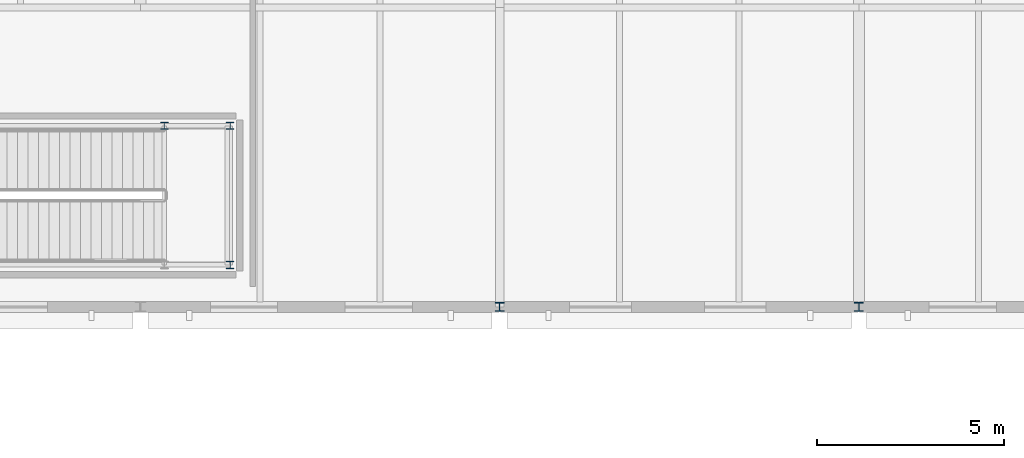
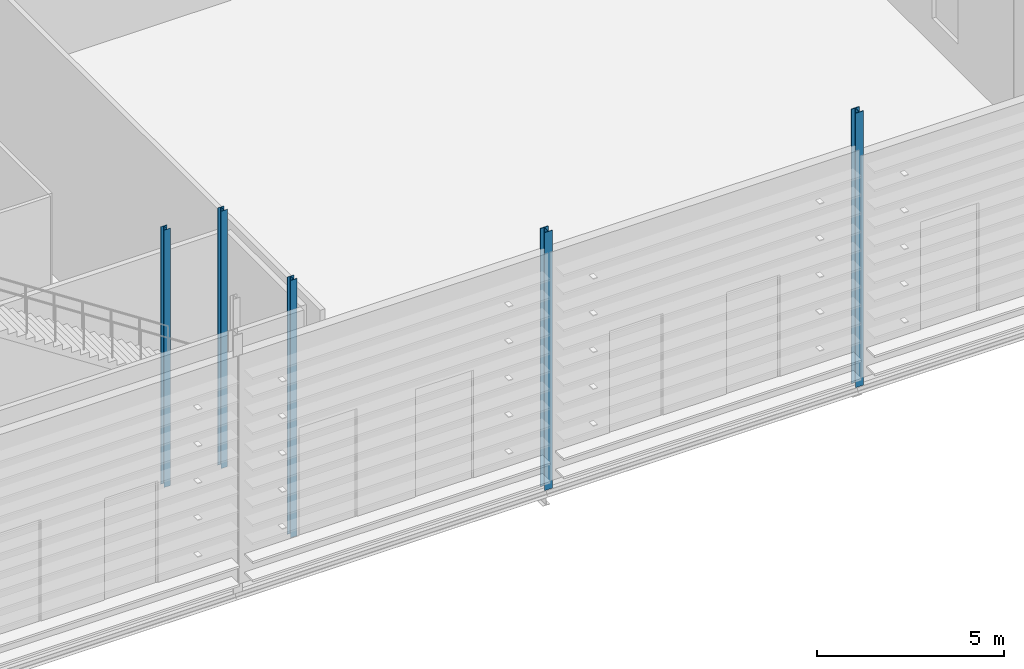
# One storey, part 2 of 73: 5 columns.
"""IFC4 building model written with IfcOpenShell, lengths in metres."""

from ifc_helpers import new_model, si_unit, direction, frame, origin, origin_2d, place, context, subcontext, project, spatial, i_section, extrude, material, material_profile, profile_set, type_object, element, save


model = new_model("IFC4")

# Units and contexts
model_context = context("Model", 3, precision=1e-05, world=origin(), true_north=direction((0.0, 1.0)))
body_context = subcontext(model_context, "Body", "Model", "MODEL_VIEW")
ifc_project = project(units=[si_unit("LENGTHUNIT", "METRE"), si_unit("AREAUNIT", "SQUARE_METRE"), si_unit("VOLUMEUNIT", "CUBIC_METRE"), si_unit("PLANEANGLEUNIT", "RADIAN"), si_unit("MASSUNIT", "GRAM", prefix="KILO")], contexts=[model_context])

# Site, building, storey
site_placement = place(None, origin())
site = spatial("IfcSite", under=ifc_project, at=site_placement, CompositionType="ELEMENT")
building_placement = place(site_placement, origin())
building = spatial("IfcBuilding", under=site, at=building_placement, Name="Alderhovde Museum", CompositionType="ELEMENT")
storey_placement = place(building_placement, frame((0.0, 0.0, 17.39990234375)))
storey = spatial("IfcBuildingStorey", under=building, at=storey_placement, Name="L04", CompositionType="ELEMENT", Elevation=17.39990234375)

# Columns
ifc_material_1 = material(Name="Steel S355J2", Category="steel")
ifc_material_profile_1 = material_profile(ifc_material_1, i_section(OverallWidth=0.199951171875, OverallDepth=0.18994140625, WebThickness=0.006591796875, FlangeThickness=0.010009765625, FilletRadius=0.01806640625, at=origin_2d()), Name="HEA 200")
ifc_profile_set_1 = profile_set([ifc_material_profile_1], Name="Steel S355J2")
column_type_1 = type_object("IfcColumnType", Name="COL-HEA200", PredefinedType="COLUMN", material=ifc_profile_set_1)
for number, where, z_axis, x_axis, name in (
    (1, (31.199951171875, 49.1201171875, 0.0), (0.0, 0.0, 1.0), (1.0, 0.0, 0.0), "L04 Stair ST1 Shaft Column 2"),
    (2, (31.199951171875, 52.840087890625, 0.0), (0.0, 0.0, 1.0), (1.0, 0.0, 0.0), "L04 Stair ST1 Shaft Column 3"),
    (3, (29.43994140625, 52.840087890625, 0.0), (0.0, 0.0, 1.0), (1.0, 0.0, 0.0), "L04 Stair ST1 Shaft Column 6"),
):
    element("IfcColumn", number, at=place(storey_placement, frame(where, z_axis=z_axis, x_axis=x_axis)), inside=storey, type_object=column_type_1, Name=name, PredefinedType="COLUMN", context=body_context, shape_type="SweptSolid", body=[
        extrude(i_section(OverallWidth=0.199951171875, OverallDepth=0.18994140625, WebThickness=0.006591796875, FlangeThickness=0.010009765625, FilletRadius=0.01806640625, at=origin_2d()), origin(), (0.0, 0.0, 1.0), 8.400146484375),
    ])
ifc_material_2 = material(Name="Steel S355J2", Category="steel")
ifc_material_profile_2 = material_profile(ifc_material_2, i_section(OverallWidth=0.239990234375, OverallDepth=0.239990234375, WebThickness=0.010009765625, FlangeThickness=0.01708984375, FilletRadius=0.02099609375, at=origin_2d()), Name="HEB 240")
ifc_profile_set_2 = profile_set([ifc_material_profile_2], Name="Steel S355J2")
column_type_2 = type_object("IfcColumnType", Name="COL-HEB240", PredefinedType="COLUMN", material=ifc_profile_set_2)
column_1_placement = place(storey_placement, frame((38.39990234375, 48.0, -0.27978515625), z_axis=(0.0, 0.0, 1.0), x_axis=(1.0, 0.0, 0.0)))
element("IfcColumn", 4, at=column_1_placement, inside=storey, type_object=column_type_2, Name="L04 Column (38.4, 48.0)", PredefinedType="COLUMN", context=body_context, shape_type="SweptSolid", body=[
    extrude(i_section(OverallWidth=0.239990234375, OverallDepth=0.239990234375, WebThickness=0.010009765625, FlangeThickness=0.01708984375, FilletRadius=0.02099609375, at=origin_2d()), origin(), (0.0, 0.0, 1.0), 8.419921875),
])
column_2_placement = place(storey_placement, frame((48.0, 48.0, -0.27978515625), z_axis=(0.0, 0.0, 1.0), x_axis=(1.0, 0.0, 0.0)))
element("IfcColumn", 5, at=column_2_placement, inside=storey, type_object=column_type_2, Name="L04 Column (48.0, 48.0)", PredefinedType="COLUMN", context=body_context, shape_type="SweptSolid", body=[
    extrude(i_section(OverallWidth=0.239990234375, OverallDepth=0.239990234375, WebThickness=0.010009765625, FlangeThickness=0.01708984375, FilletRadius=0.02099609375, at=origin_2d()), origin(), (0.0, 0.0, 1.0), 8.954833984375),
])

save(model, "model.ifc")
